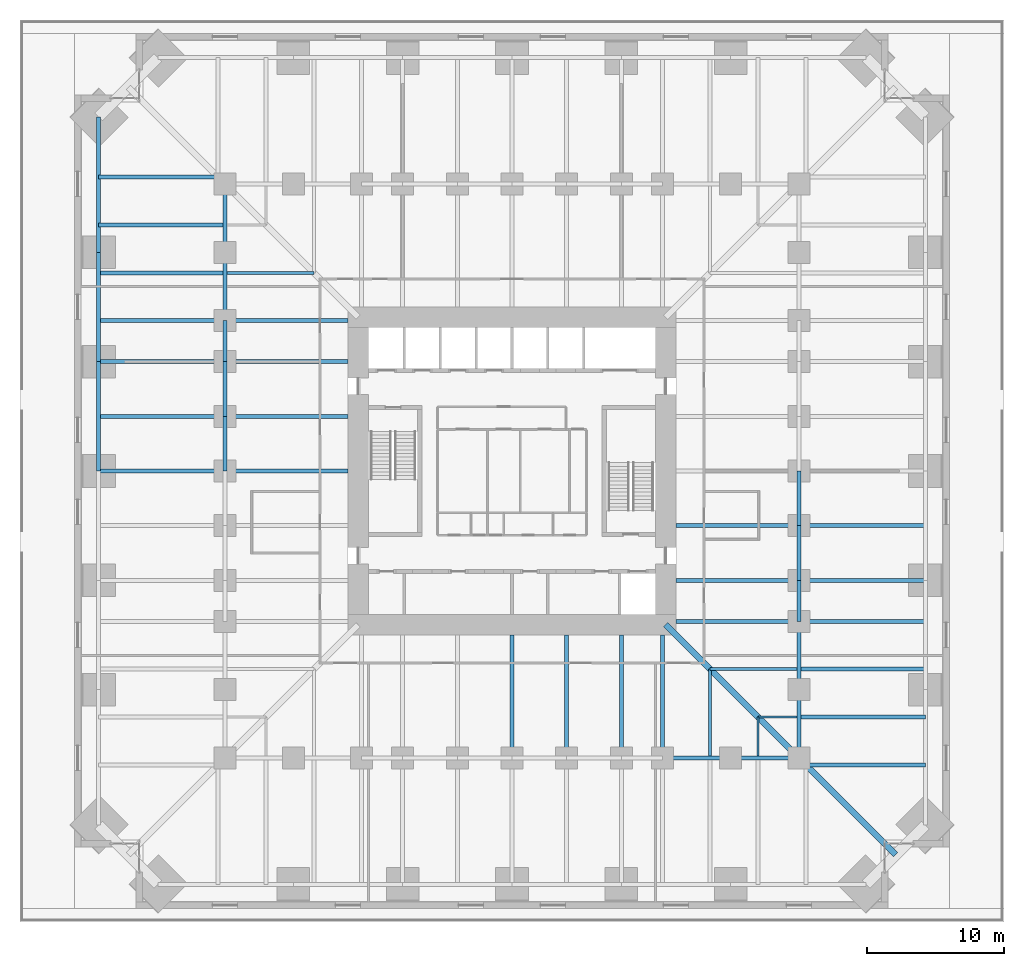
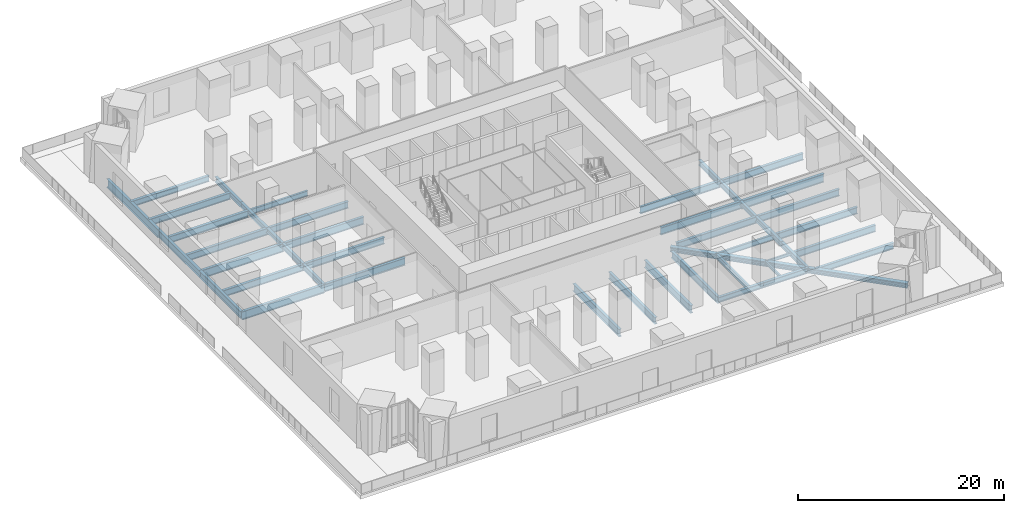
# One storey, part 5 of 26: 46 beams.
"""IFC4 building model written with IfcOpenShell, lengths in metres."""

from ifc_helpers import new_model, si_unit, direction, frame, origin, origin_2d, place, context, subcontext, project, spatial, i_section, extrude, material, material_profile, profile_set, type_object, element, save


model = new_model("IFC4")

# Units and contexts
model_context = context("Model", 3, precision=1e-05, world=origin(), true_north=direction((0.0, 1.0)))
body_context = subcontext(model_context, "Body", "Model", "MODEL_VIEW")
ifc_project = project(units=[si_unit("LENGTHUNIT", "METRE"), si_unit("AREAUNIT", "SQUARE_METRE"), si_unit("VOLUMEUNIT", "CUBIC_METRE"), si_unit("PLANEANGLEUNIT", "RADIAN"), si_unit("MASSUNIT", "GRAM", prefix="KILO")], contexts=[model_context])

# Site, building, storey
site_placement = place(None, origin())
site = spatial("IfcSite", under=ifc_project, at=site_placement, CompositionType="ELEMENT")
building_placement = place(site_placement, origin())
building = spatial("IfcBuilding", under=site, at=building_placement, Name="Peilmerk Tower", CompositionType="ELEMENT")
storey_placement = place(building_placement, frame((0.0, 0.0, 16.0)))
storey = spatial("IfcBuildingStorey", under=building, at=storey_placement, Name="L03", CompositionType="ELEMENT", Elevation=16.0)

# Beams
ifc_material_1 = material(Name="Steel S355", Category="steel")
ifc_material_profile_1 = material_profile(ifc_material_1, i_section(OverallWidth=0.219970703125, OverallDepth=0.60009765625, WebThickness=0.011962890625, FlangeThickness=0.01904296875, at=origin_2d()), Name="IPE 600")
ifc_profile_set_1 = profile_set([ifc_material_profile_1], Name="Steel S355")
beam_type_1 = type_object("IfcBeamType", Name="B10 IPE 600 floor beam", PredefinedType="BEAM", material=ifc_profile_set_1)
for number, where, z_axis, x_axis, name in (
    (1, (14.5, -14.5, -0.5), (0.0, -1.0, 0.0), (1.0, 0.0, 0.0), "Floor beam L03"),
    (2, (14.5, -14.5, -0.5), (1.0, 0.0, 0.0), (0.0, 1.0, 0.0), "Floor beam L03"),
    (3, (-14.5, 14.5, -0.5), (-1.0, 0.0, 0.0), (0.0, -1.0, 0.0), "Floor beam L03"),
):
    element("IfcBeam", number, at=place(storey_placement, frame(where, z_axis=z_axis, x_axis=x_axis)), inside=storey, type_object=beam_type_1, Name=name, PredefinedType="BEAM", context=body_context, shape_type="SweptSolid", body=[
        extrude(i_section(OverallWidth=0.219970703125, OverallDepth=0.60009765625, WebThickness=0.011962890625, FlangeThickness=0.01904296875, at=origin_2d()), origin(), (0.0, 0.0, 1.0), 6.347412109375),
    ])
ifc_material_profile_2 = material_profile(ifc_material_1, i_section(OverallWidth=0.169921875, OverallDepth=0.360107421875, WebThickness=0.008056640625, FlangeThickness=0.0126953125, at=origin_2d()), Name="IPE 360")
ifc_profile_set_2 = profile_set([ifc_material_profile_2], Name="Steel S355")
beam_type_2 = type_object("IfcBeamType", Name="B11 IPE 360 floor beam", PredefinedType="BEAM", material=ifc_profile_set_2)
for number, where, z_axis, x_axis, name in (
    (4, (18.0, -18.0, -0.3798828125), (0.0, -1.0, 0.0), (1.0, 0.0, 0.0), "Floor beam L03"),
    (5, (18.0, -18.0, -0.3798828125), (1.0, 0.0, 0.0), (0.0, 1.0, 0.0), "Floor beam L03"),
):
    element("IfcBeam", number, at=place(storey_placement, frame(where, z_axis=z_axis, x_axis=x_axis)), inside=storey, type_object=beam_type_2, Name=name, PredefinedType="BEAM", context=body_context, shape_type="SweptSolid", body=[
        extrude(i_section(OverallWidth=0.169921875, OverallDepth=0.360107421875, WebThickness=0.008056640625, FlangeThickness=0.0126953125, at=origin_2d()), origin(), (0.0, 0.0, 1.0), 2.847412109375),
    ])
ifc_material_profile_3 = material_profile(ifc_material_1, i_section(OverallWidth=0.300048828125, OverallDepth=1.0, WebThickness=0.01904296875, FlangeThickness=0.035888671875, at=origin_2d()), Name="HEB 1000")
ifc_profile_set_3 = profile_set([ifc_material_profile_3], Name="Steel S355")
beam_type_3 = type_object("IfcBeamType", Name="B13 HEB 1000 edge beam", PredefinedType="SPANDREL", material=ifc_profile_set_3)
beam_1_placement = place(storey_placement, frame((-30.251708984375, 25.901611328125, -0.699951171875), z_axis=(0.0, -1.0, 0.0), x_axis=(1.0, 0.0, 0.0)))
element("IfcBeam", 6, at=beam_1_placement, inside=storey, type_object=beam_type_3, Name="Edge beam L03", PredefinedType="SPANDREL", context=body_context, shape_type="SweptSolid", body=[
    extrude(i_section(OverallWidth=0.300048828125, OverallDepth=1.0, WebThickness=0.01904296875, FlangeThickness=0.035888671875, at=origin_2d()), origin(), (0.0, 0.0, 1.0), 9.901611328125),
])
ifc_material_profile_4 = material_profile(ifc_material_1, i_section(OverallWidth=0.300048828125, OverallDepth=0.989990234375, WebThickness=0.0166015625, FlangeThickness=0.031005859375, at=origin_2d()), Name="HEA 1000")
ifc_profile_set_4 = profile_set([ifc_material_profile_4], Name="Steel S355")
beam_type_4 = type_object("IfcBeamType", Name="B14 HEA 1000 floor girder", PredefinedType="BEAM", material=ifc_profile_set_4)
for number, where, z_axis, x_axis, name in (
    (7, (21.0, -8.0, -0.695068359375), (1.0, 0.0, 0.0), (0.0, 1.0, 0.0), "Floor girder L03"),
    (8, (-21.0, 8.0, -0.695068359375), (-1.0, 0.0, 0.0), (0.0, -1.0, 0.0), "Floor girder L03"),
    (9, (-21.0, 0.0, -0.695068359375), (-1.0, 0.0, 0.0), (0.0, -1.0, 0.0), "Floor girder L03"),
):
    element("IfcBeam", number, at=place(storey_placement, frame(where, z_axis=z_axis, x_axis=x_axis)), inside=storey, type_object=beam_type_4, Name=name, PredefinedType="BEAM", context=body_context, shape_type="SweptSolid", body=[
        extrude(i_section(OverallWidth=0.300048828125, OverallDepth=0.989990234375, WebThickness=0.0166015625, FlangeThickness=0.031005859375, at=origin_2d()), origin(), (0.0, 0.0, 1.0), 9.251708984375),
    ])
ifc_material_profile_5 = material_profile(ifc_material_1, i_section(OverallWidth=0.302978515625, OverallDepth=0.81396484375, WebThickness=0.02099609375, FlangeThickness=0.0400390625, at=origin_2d()), Name="HEM 800")
ifc_profile_set_5 = profile_set([ifc_material_profile_5], Name="Steel S355")
beam_type_5 = type_object("IfcBeamType", Name="B15 HEM 800 edge beam", PredefinedType="SPANDREL", material=ifc_profile_set_5)
for number, where, z_axis, x_axis, name in (
    (10, (-30.251708984375, 16.0, -0.60693359375), (0.0, -1.0, 0.0), (1.0, 0.0, 0.0), "Edge beam L03"),
    (11, (-30.251708984375, 8.0, -0.60693359375), (0.0, -1.0, 0.0), (1.0, 0.0, 0.0), "Edge beam L03"),
):
    element("IfcBeam", number, at=place(storey_placement, frame(where, z_axis=z_axis, x_axis=x_axis)), inside=storey, type_object=beam_type_5, Name=name, PredefinedType="SPANDREL", context=body_context, shape_type="SweptSolid", body=[
        extrude(i_section(OverallWidth=0.302978515625, OverallDepth=0.81396484375, WebThickness=0.02099609375, FlangeThickness=0.0400390625, at=origin_2d()), origin(), (0.0, 0.0, 1.0), 8.0),
    ])
ifc_material_profile_6 = material_profile(ifc_material_1, i_section(OverallWidth=0.300048828125, OverallDepth=0.68994140625, WebThickness=0.014404296875, FlangeThickness=0.027099609375, at=origin_2d()), Name="HEA 700")
ifc_profile_set_6 = profile_set([ifc_material_profile_6], Name="Steel S355")
beam_type_6 = type_object("IfcBeamType", Name="B16 HEA 700 floor beam", PredefinedType="BEAM", material=ifc_profile_set_6)
for number, where, z_axis, x_axis, name in (
    (12, (21.5, -21.5, -0.544921875), (1.0, 0.0, 0.0), (0.0, 1.0, 0.0), "Floor beam L03"),
    (13, (-21.5, 21.5, -0.544921875), (-1.0, 0.0, 0.0), (0.0, -1.0, 0.0), "Floor beam L03"),
):
    element("IfcBeam", number, at=place(storey_placement, frame(where, z_axis=z_axis, x_axis=x_axis)), inside=storey, type_object=beam_type_6, Name=name, PredefinedType="BEAM", context=body_context, shape_type="SweptSolid", body=[
        extrude(i_section(OverallWidth=0.300048828125, OverallDepth=0.68994140625, WebThickness=0.014404296875, FlangeThickness=0.027099609375, at=origin_2d()), origin(), (0.0, 0.0, 1.0), 8.751708984375),
    ])
ifc_material_profile_7 = material_profile(ifc_material_1, i_section(OverallWidth=0.300048828125, OverallDepth=0.7900390625, WebThickness=0.014892578125, FlangeThickness=0.028076171875, at=origin_2d()), Name="HEA 800")
ifc_profile_set_7 = profile_set([ifc_material_profile_7], Name="Steel S355")
beam_type_7 = type_object("IfcBeamType", Name="B3 HEA 800 floor beam", PredefinedType="BEAM", material=ifc_profile_set_7)
beam_2_placement = place(storey_placement, frame((12.0, -11.0, -0.594970703125), z_axis=(1.0, 0.0, 0.0), x_axis=(0.0, 1.0, 0.0)))
element("IfcBeam", 14, at=beam_2_placement, inside=storey, type_object=beam_type_7, Name="Floor beam L03", PredefinedType="BEAM", context=body_context, shape_type="SweptSolid", body=[
    extrude(i_section(OverallWidth=0.300048828125, OverallDepth=0.7900390625, WebThickness=0.014892578125, FlangeThickness=0.028076171875, at=origin_2d()), origin(), (0.0, 0.0, 1.0), 9.0),
])
beam_3_placement = place(storey_placement, frame((21.0, -11.0, -0.594970703125), z_axis=(1.0, 0.0, 0.0), x_axis=(0.0, 1.0, 0.0)))
element("IfcBeam", 15, at=beam_3_placement, inside=storey, type_object=beam_type_7, Name="Floor beam L03", PredefinedType="BEAM", context=body_context, shape_type="SweptSolid", body=[
    extrude(i_section(OverallWidth=0.300048828125, OverallDepth=0.7900390625, WebThickness=0.014892578125, FlangeThickness=0.028076171875, at=origin_2d()), origin(), (0.0, 0.0, 1.0), 9.251708984375),
])
beam_4_placement = place(storey_placement, frame((12.0, -4.0, -0.594970703125), z_axis=(1.0, 0.0, 0.0), x_axis=(0.0, 1.0, 0.0)))
element("IfcBeam", 16, at=beam_4_placement, inside=storey, type_object=beam_type_7, Name="Floor beam L03", PredefinedType="BEAM", context=body_context, shape_type="SweptSolid", body=[
    extrude(i_section(OverallWidth=0.300048828125, OverallDepth=0.7900390625, WebThickness=0.014892578125, FlangeThickness=0.028076171875, at=origin_2d()), origin(), (0.0, 0.0, 1.0), 9.0),
])
beam_5_placement = place(storey_placement, frame((21.0, -4.0, -0.594970703125), z_axis=(1.0, 0.0, 0.0), x_axis=(0.0, 1.0, 0.0)))
element("IfcBeam", 17, at=beam_5_placement, inside=storey, type_object=beam_type_7, Name="Floor beam L03", PredefinedType="BEAM", context=body_context, shape_type="SweptSolid", body=[
    extrude(i_section(OverallWidth=0.300048828125, OverallDepth=0.7900390625, WebThickness=0.014892578125, FlangeThickness=0.028076171875, at=origin_2d()), origin(), (0.0, 0.0, 1.0), 9.251708984375),
])
for number, where, z_axis, x_axis, name in (
    (18, (4.0, -12.0, -0.594970703125), (0.0, -1.0, 0.0), (1.0, 0.0, 0.0), "Floor beam L03"),
    (19, (11.0, -12.0, -0.594970703125), (0.0, -1.0, 0.0), (1.0, 0.0, 0.0), "Floor beam L03"),
    (20, (-12.0, 11.0, -0.594970703125), (-1.0, 0.0, 0.0), (0.0, -1.0, 0.0), "Floor beam L03"),
):
    element("IfcBeam", number, at=place(storey_placement, frame(where, z_axis=z_axis, x_axis=x_axis)), inside=storey, type_object=beam_type_7, Name=name, PredefinedType="BEAM", context=body_context, shape_type="SweptSolid", body=[
        extrude(i_section(OverallWidth=0.300048828125, OverallDepth=0.7900390625, WebThickness=0.014892578125, FlangeThickness=0.028076171875, at=origin_2d()), origin(), (0.0, 0.0, 1.0), 9.0),
    ])
beam_6_placement = place(storey_placement, frame((-21.0, 11.0, -0.594970703125), z_axis=(-1.0, 0.0, 0.0), x_axis=(0.0, -1.0, 0.0)))
element("IfcBeam", 21, at=beam_6_placement, inside=storey, type_object=beam_type_7, Name="Floor beam L03", PredefinedType="BEAM", context=body_context, shape_type="SweptSolid", body=[
    extrude(i_section(OverallWidth=0.300048828125, OverallDepth=0.7900390625, WebThickness=0.014892578125, FlangeThickness=0.028076171875, at=origin_2d()), origin(), (0.0, 0.0, 1.0), 9.251708984375),
])
beam_7_placement = place(storey_placement, frame((-12.0, 4.0, -0.594970703125), z_axis=(-1.0, 0.0, 0.0), x_axis=(0.0, -1.0, 0.0)))
element("IfcBeam", 22, at=beam_7_placement, inside=storey, type_object=beam_type_7, Name="Floor beam L03", PredefinedType="BEAM", context=body_context, shape_type="SweptSolid", body=[
    extrude(i_section(OverallWidth=0.300048828125, OverallDepth=0.7900390625, WebThickness=0.014892578125, FlangeThickness=0.028076171875, at=origin_2d()), origin(), (0.0, 0.0, 1.0), 9.0),
])
beam_8_placement = place(storey_placement, frame((-21.0, 4.0, -0.594970703125), z_axis=(-1.0, 0.0, 0.0), x_axis=(0.0, -1.0, 0.0)))
element("IfcBeam", 23, at=beam_8_placement, inside=storey, type_object=beam_type_7, Name="Floor beam L03", PredefinedType="BEAM", context=body_context, shape_type="SweptSolid", body=[
    extrude(i_section(OverallWidth=0.300048828125, OverallDepth=0.7900390625, WebThickness=0.014892578125, FlangeThickness=0.028076171875, at=origin_2d()), origin(), (0.0, 0.0, 1.0), 9.251708984375),
])
for number, where, z_axis, x_axis, name in (
    (24, (21.152587890625, -14.5, -0.594970703125), (1.0, 0.0, 0.0), (0.0, 1.0, 0.0), "Floor beam L03"),
    (25, (21.152587890625, -18.0, -0.594970703125), (1.0, 0.0, 0.0), (0.0, 1.0, 0.0), "Floor beam L03"),
    (26, (-21.152587890625, 14.5, -0.594970703125), (-1.0, 0.0, 0.0), (0.0, -1.0, 0.0), "Floor beam L03"),
    (27, (-21.152587890625, 18.0, -0.594970703125), (-1.0, 0.0, 0.0), (0.0, -1.0, 0.0), "Floor beam L03"),
):
    element("IfcBeam", number, at=place(storey_placement, frame(where, z_axis=z_axis, x_axis=x_axis)), inside=storey, type_object=beam_type_7, Name=name, PredefinedType="BEAM", context=body_context, shape_type="SweptSolid", body=[
        extrude(i_section(OverallWidth=0.300048828125, OverallDepth=0.7900390625, WebThickness=0.014892578125, FlangeThickness=0.028076171875, at=origin_2d()), origin(), (0.0, 0.0, 1.0), 9.09912109375),
    ])
ifc_material_profile_8 = material_profile(ifc_material_1, i_section(OverallWidth=0.300048828125, OverallDepth=0.889892578125, WebThickness=0.01611328125, FlangeThickness=0.030029296875, at=origin_2d()), Name="HEA 900")
ifc_profile_set_8 = profile_set([ifc_material_profile_8], Name="Steel S355")
beam_type_8 = type_object("IfcBeamType", Name="B4 HEA 900 floor beam", PredefinedType="BEAM", material=ifc_profile_set_8)
for number, where, z_axis, x_axis, name in (
    (28, (12.0, -8.0, -0.64501953125), (1.0, 0.0, 0.0), (0.0, 1.0, 0.0), "Floor girder L03"),
    (29, (0.0, -12.0, -0.64501953125), (0.0, -1.0, 0.0), (1.0, 0.0, 0.0), "Floor girder L03"),
    (30, (8.0, -12.0, -0.64501953125), (0.0, -1.0, 0.0), (1.0, 0.0, 0.0), "Floor girder L03"),
    (31, (-12.0, 8.0, -0.64501953125), (-1.0, 0.0, 0.0), (0.0, -1.0, 0.0), "Floor girder L03"),
    (32, (-12.0, 0.0, -0.64501953125), (-1.0, 0.0, 0.0), (0.0, -1.0, 0.0), "Floor girder L03"),
):
    element("IfcBeam", number, at=place(storey_placement, frame(where, z_axis=z_axis, x_axis=x_axis)), inside=storey, type_object=beam_type_8, Name=name, PredefinedType="BEAM", context=body_context, shape_type="SweptSolid", body=[
        extrude(i_section(OverallWidth=0.300048828125, OverallDepth=0.889892578125, WebThickness=0.01611328125, FlangeThickness=0.030029296875, at=origin_2d()), origin(), (0.0, 0.0, 1.0), 9.0),
    ])
ifc_material_profile_9 = material_profile(ifc_material_1, i_section(OverallWidth=0.304931640625, OverallDepth=0.6201171875, WebThickness=0.02099609375, FlangeThickness=0.0400390625, at=origin_2d()), Name="HEM 600")
ifc_profile_set_9 = profile_set([ifc_material_profile_9], Name="Steel S355")
beam_type_9 = type_object("IfcBeamType", Name="B6 HEM 600 ring girder", PredefinedType="BEAM", material=ifc_profile_set_9)
for number, where, z_axis, x_axis, name in (
    (33, (21.0, -21.0, -0.510009765625), (0.0, 1.0, 0.0), (-1.0, 0.0, 0.0), "Ring girder L03"),
    (34, (21.0, -16.0, -0.510009765625), (0.0, 1.0, 0.0), (-1.0, 0.0, 0.0), "Ring girder L03"),
):
    element("IfcBeam", number, at=place(storey_placement, frame(where, z_axis=z_axis, x_axis=x_axis)), inside=storey, type_object=beam_type_9, Name=name, PredefinedType="BEAM", context=body_context, shape_type="SweptSolid", body=[
        extrude(i_section(OverallWidth=0.304931640625, OverallDepth=0.6201171875, WebThickness=0.02099609375, FlangeThickness=0.0400390625, at=origin_2d()), origin(), (0.0, 0.0, 1.0), 5.0),
    ])
for number, where, z_axis, x_axis, name in (
    (35, (21.0, -8.0, -0.510009765625), (0.0, 1.0, 0.0), (-1.0, 0.0, 0.0), "Ring girder L03"),
    (36, (21.0, -4.0, -0.510009765625), (0.0, 1.0, 0.0), (-1.0, 0.0, 0.0), "Ring girder L03"),
):
    element("IfcBeam", number, at=place(storey_placement, frame(where, z_axis=z_axis, x_axis=x_axis)), inside=storey, type_object=beam_type_9, Name=name, PredefinedType="BEAM", context=body_context, shape_type="SweptSolid", body=[
        extrude(i_section(OverallWidth=0.304931640625, OverallDepth=0.6201171875, WebThickness=0.02099609375, FlangeThickness=0.0400390625, at=origin_2d()), origin(), (0.0, 0.0, 1.0), 4.0),
    ])
for number, where, z_axis, x_axis, name in (
    (37, (11.0, -21.0, -0.510009765625), (1.0, 0.0, 0.0), (0.0, 1.0, 0.0), "Ring girder L03"),
    (38, (16.0, -21.0, -0.510009765625), (1.0, 0.0, 0.0), (0.0, 1.0, 0.0), "Ring girder L03"),
    (39, (-21.0, 21.0, -0.510009765625), (0.0, -1.0, 0.0), (1.0, 0.0, 0.0), "Ring girder L03"),
    (40, (-21.0, 16.0, -0.510009765625), (0.0, -1.0, 0.0), (1.0, 0.0, 0.0), "Ring girder L03"),
):
    element("IfcBeam", number, at=place(storey_placement, frame(where, z_axis=z_axis, x_axis=x_axis)), inside=storey, type_object=beam_type_9, Name=name, PredefinedType="BEAM", context=body_context, shape_type="SweptSolid", body=[
        extrude(i_section(OverallWidth=0.304931640625, OverallDepth=0.6201171875, WebThickness=0.02099609375, FlangeThickness=0.0400390625, at=origin_2d()), origin(), (0.0, 0.0, 1.0), 5.0),
    ])
for number, where, z_axis, x_axis, name in (
    (41, (-21.0, 8.0, -0.510009765625), (0.0, -1.0, 0.0), (1.0, 0.0, 0.0), "Ring girder L03"),
    (42, (-21.0, 4.0, -0.510009765625), (0.0, -1.0, 0.0), (1.0, 0.0, 0.0), "Ring girder L03"),
):
    element("IfcBeam", number, at=place(storey_placement, frame(where, z_axis=z_axis, x_axis=x_axis)), inside=storey, type_object=beam_type_9, Name=name, PredefinedType="BEAM", context=body_context, shape_type="SweptSolid", body=[
        extrude(i_section(OverallWidth=0.304931640625, OverallDepth=0.6201171875, WebThickness=0.02099609375, FlangeThickness=0.0400390625, at=origin_2d()), origin(), (0.0, 0.0, 1.0), 4.0),
    ])
ifc_material_profile_10 = material_profile(ifc_material_1, i_section(OverallWidth=0.305908203125, OverallDepth=0.52392578125, WebThickness=0.02099609375, FlangeThickness=0.0400390625, at=origin_2d()), Name="HEM 500")
ifc_profile_set_10 = profile_set([ifc_material_profile_10], Name="Steel S355")
beam_type_10 = type_object("IfcBeamType", Name="B7 HEM 500 ring girder", PredefinedType="BEAM", material=ifc_profile_set_10)
for number, where, z_axis, x_axis, name in (
    (43, (21.0, -11.0, -0.4619140625), (0.0, 1.0, 0.0), (-1.0, 0.0, 0.0), "Ring girder L03"),
    (44, (-21.0, 11.0, -0.4619140625), (0.0, -1.0, 0.0), (1.0, 0.0, 0.0), "Ring girder L03"),
):
    element("IfcBeam", number, at=place(storey_placement, frame(where, z_axis=z_axis, x_axis=x_axis)), inside=storey, type_object=beam_type_10, Name=name, PredefinedType="BEAM", context=body_context, shape_type="SweptSolid", body=[
        extrude(i_section(OverallWidth=0.305908203125, OverallDepth=0.52392578125, WebThickness=0.02099609375, FlangeThickness=0.0400390625, at=origin_2d()), origin(), (0.0, 0.0, 1.0), 3.0),
    ])
ifc_material_2 = material(Name="Steel S460", Category="steel")
ifc_material_profile_11 = material_profile(ifc_material_2, i_section(OverallWidth=0.4541015625, OverallDepth=0.569091796875, WebThickness=0.077880859375, FlangeThickness=0.125, at=origin_2d()), Name="HD 400x1086")
ifc_profile_set_11 = profile_set([ifc_material_profile_11], Name="Steel S460")
beam_type_11 = type_object("IfcBeamType", Name="B9 HD 400x1086 corner girder", PredefinedType="BEAM", material=ifc_profile_set_11)
beam_9_placement = place(storey_placement, frame((11.25, -11.25, -0.484619140625), z_axis=(0.707106781187, -0.707106781187, 0.0), x_axis=(0.707106781187, 0.707106781187, 0.0)))
element("IfcBeam", 45, at=beam_9_placement, inside=storey, type_object=beam_type_11, Name="Corner girder L03", PredefinedType="BEAM", context=body_context, shape_type="SweptSolid", body=[
    extrude(i_section(OverallWidth=0.4541015625, OverallDepth=0.569091796875, WebThickness=0.077880859375, FlangeThickness=0.125, at=origin_2d()), origin(), (0.0, 0.0, 1.0), 13.78857421875),
])
beam_10_placement = place(storey_placement, frame((21.0, -21.0, -0.484619140625), z_axis=(0.707106781187, -0.707106781187, 0.0), x_axis=(0.707106781187, 0.707106781187, 0.0)))
element("IfcBeam", 46, at=beam_10_placement, inside=storey, type_object=beam_type_11, Name="Corner girder L03", PredefinedType="BEAM", context=body_context, shape_type="SweptSolid", body=[
    extrude(i_section(OverallWidth=0.4541015625, OverallDepth=0.569091796875, WebThickness=0.077880859375, FlangeThickness=0.125, at=origin_2d()), origin(), (0.0, 0.0, 1.0), 10.0078125),
])

save(model, "model.ifc")
